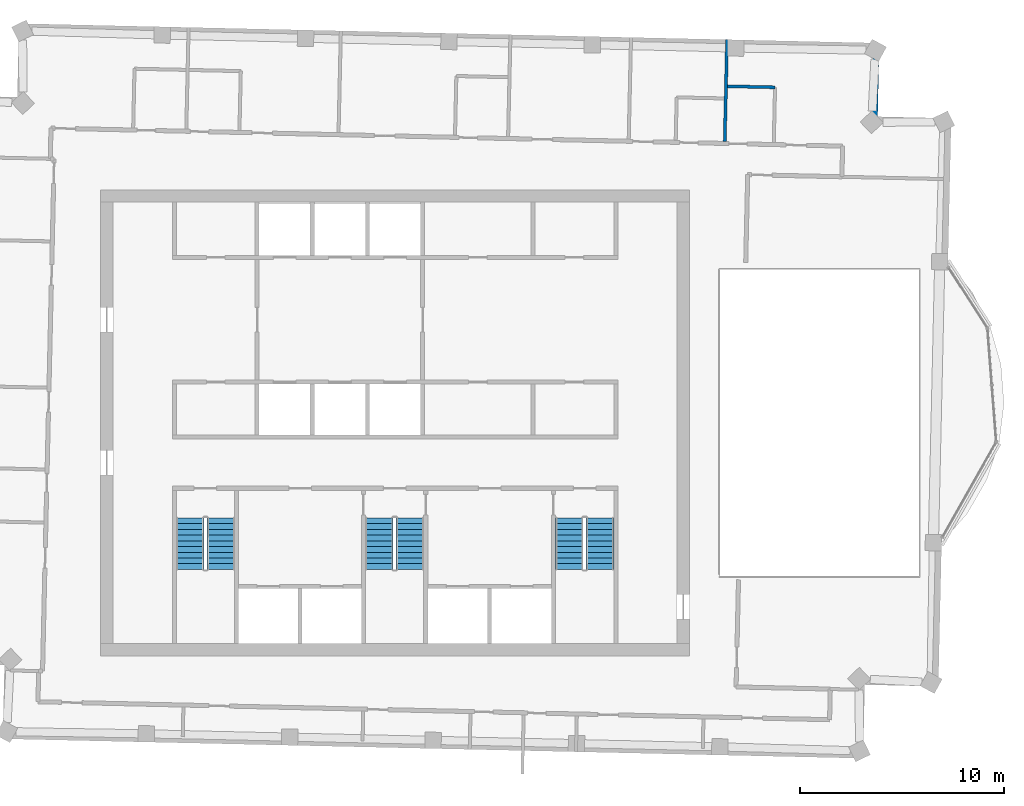
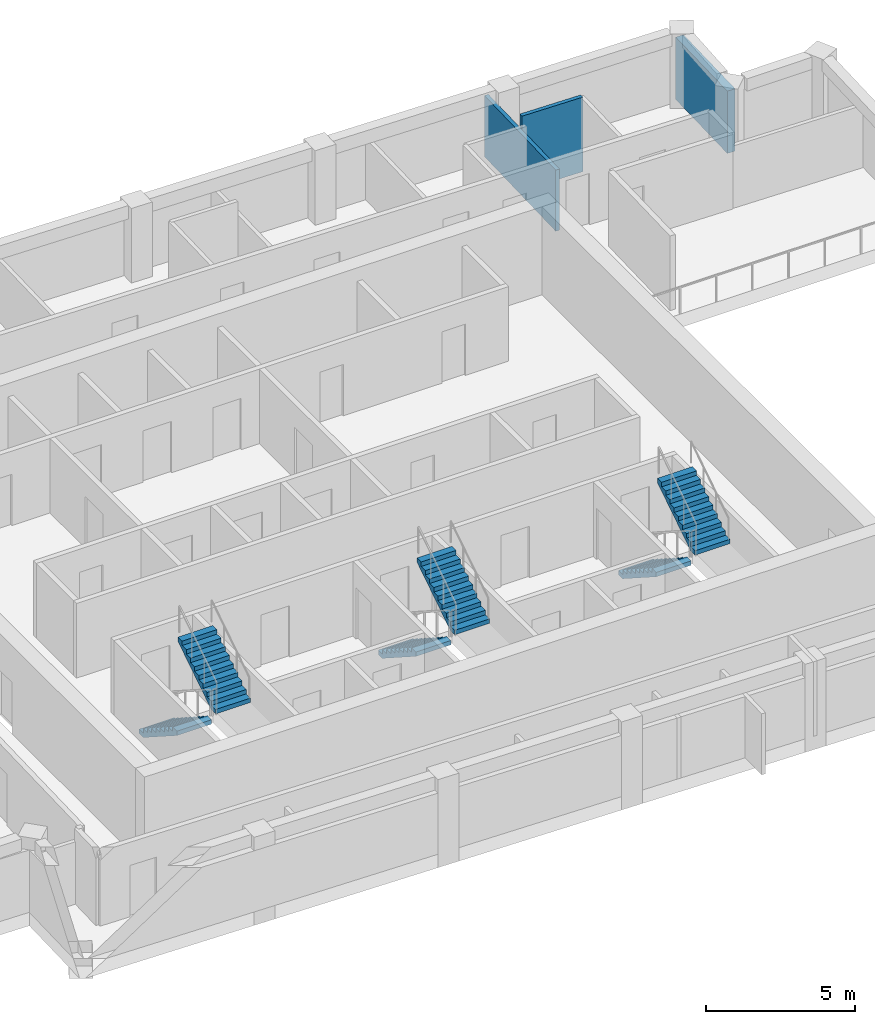
# One storey, part 10 of 12: 6 stair flights, 3 walls, 3 elements without a shape of their own.
"""IFC4 building model written with IfcOpenShell, lengths in metres."""

from ifc_helpers import new_model, si_unit, direction, frame, frame_2d, origin, place, context, subcontext, project, spatial, polyline, rectangle, outline, extrude, material, layer, layer_set, type_object, element, aggregate, save


model = new_model("IFC4")

# Units and contexts
model_context = context("Model", 3, precision=1e-05, world=origin(), true_north=direction((0.0, 1.0)))
body_context = subcontext(model_context, "Body", "Model", "MODEL_VIEW")
ifc_project = project(units=[si_unit("LENGTHUNIT", "METRE"), si_unit("AREAUNIT", "SQUARE_METRE"), si_unit("VOLUMEUNIT", "CUBIC_METRE"), si_unit("PLANEANGLEUNIT", "RADIAN"), si_unit("MASSUNIT", "GRAM", prefix="KILO")], contexts=[model_context])

# Site, building, storey
site_placement = place(None, origin())
site = spatial("IfcSite", under=ifc_project, at=site_placement, CompositionType="ELEMENT")
building_placement = place(site_placement, origin())
building = spatial("IfcBuilding", under=site, at=building_placement, Name="Mangrove Gate Tower", CompositionType="ELEMENT")
storey_placement = place(building_placement, frame((0.0, 0.0, 350.699951171875)))
storey = spatial("IfcBuildingStorey", under=building, at=storey_placement, Name="L89", CompositionType="ELEMENT", Elevation=350.699951171875)

# Walls
ifc_material_1 = material(Name="Limestone", Category="masonry")
ifc_layer_1 = layer(ifc_material_1, 0.0400390625, Name="Limestone cladding")
ifc_material_2 = material(Name="Ventilated air gap")
ifc_layer_2 = layer(ifc_material_2, 0.0400390625, Name="Ventilated cavity")
ifc_material_3 = material(Name="Mineral wool insulation")
ifc_layer_3 = layer(ifc_material_3, 0.06005859375, Name="Insulation")
ifc_material_4 = material(Name="Breather membrane")
ifc_layer_4 = layer(ifc_material_4, 0.001953125, Name="Breather membrane")
ifc_material_5 = material(Name="Concrete C20/25 blockwork", Category="masonry")
ifc_layer_5 = layer(ifc_material_5, 0.14990234375, Name="Blockwork backing wall")
ifc_material_6 = material(Name="Gypsum plaster")
ifc_layer_6 = layer(ifc_material_6, 0.008056640625, Name="Internal plaster")
ifc_layer_set_1 = layer_set([ifc_layer_1, ifc_layer_2, ifc_layer_3, ifc_layer_4, ifc_layer_5, ifc_layer_6], Name="External wall 300 limestone cladding")
wall_type_1 = type_object("IfcWallType", Name="External wall 300 limestone cladding", PredefinedType="SOLIDWALL", material=ifc_layer_set_1)
wall_1_placement = place(storey_placement, frame((23.4560546875, 14.8349609375, 0.0), z_axis=(0.0, 0.0, 1.0), x_axis=(0.022514980321, 0.999746505701, 0.0)))
element("IfcWall", 1, at=wall_1_placement, inside=storey, type_object=wall_type_1, Name="WALL-L89-E4", PredefinedType="SOLIDWALL", context=body_context, shape_type="SweptSolid", body=[
    extrude(rectangle(XDim=3.60009765625, YDim=0.300048828125, at=frame_2d((1.800048828125, 0.0))), origin(), (0.0, 0.0, 1.0), 2.550048828125),
])
ifc_material_7 = material(Name="Gypsum board on steel stud, EI 60", Category="steel")
ifc_layer_7 = layer(ifc_material_7, 0.14990234375)
ifc_layer_set_2 = layer_set([ifc_layer_7], Name="Party wall 150 EI 60")
wall_type_2 = type_object("IfcWallType", Name="Party wall 150 EI 60", PredefinedType="PARTITIONING", material=ifc_layer_set_2)
wall_2_placement = place(storey_placement, frame((16.1298828125, 13.77490234375, 0.0), z_axis=(0.0, 0.0, 1.0), x_axis=(0.022714718825, 0.999741987489, 0.0)))
element("IfcWall", 2, at=wall_2_placement, inside=storey, type_object=wall_type_2, Name="WALL-L89-037", PredefinedType="PARTITIONING", context=body_context, shape_type="SweptSolid", body=[
    extrude(rectangle(XDim=4.976318359375, YDim=0.14990234375, at=frame_2d((2.48828125, 0.0))), origin(), (0.0, 0.0, 1.0), 2.5),
])
wall_3_placement = place(storey_placement, frame((16.26611328125, 16.468017578125, 0.0), z_axis=(0.0, 0.0, 1.0), x_axis=(0.999749744571, -0.022370700241, 0.0)))
element("IfcWall", 3, at=wall_3_placement, inside=storey, type_object=wall_type_2, Name="WALL-L89-040", PredefinedType="PARTITIONING", context=body_context, shape_type="SweptSolid", body=[
    extrude(rectangle(XDim=2.324462890625, YDim=0.14990234375, at=frame_2d((1.162109375, 0.0))), origin(), (0.0, 0.0, 1.0), 3.050048828125),
])

# Stair, stair flights
ifc_material_8 = material(Name="Concrete C40/50", Category="concrete")
stair_type = type_object("IfcStairType", Name="Core stair 1350", PredefinedType="HALF_TURN_STAIR", material=ifc_material_8)
stair_1_placement = place(storey_placement, origin())
stair_1 = element("IfcStair", 4, at=stair_1_placement, inside=storey, type_object=stair_type, Name="L89 Stair 1", PredefinedType="HALF_TURN_STAIR")
ifc_material_9 = material(Name="Concrete C40/50", Category="concrete")
stair_flight_type = type_object("IfcStairFlightType", Name="Core stair flight 1350", PredefinedType="STRAIGHT", material=ifc_material_9)
stair_flight_1_placement = place(storey_placement, frame((-10.02490234375, -4.64990234375, 0.0), z_axis=(0.0, 0.0, 1.0), x_axis=(0.0, -1.0, 0.0)))
stair_flight_1 = element("IfcStairFlight", 5, at=stair_flight_1_placement, type_object=stair_flight_type, Name="ST1 flight 1", NumberOfRisers=10, NumberOfTreads=9, PredefinedType="STRAIGHT", RiserHeight=0.18, TreadLength=0.28, context=body_context, shape_type="SweptSolid", body=[
    extrude(outline(polyline([(0.0, 0.0), (0.0, 0.179931640625), (0.280029296875, 0.179931640625), (0.280029296875, 0.360107421875), (0.56005859375, 0.360107421875), (0.56005859375, 0.5400390625), (0.840087890625, 0.5400390625), (0.840087890625, 0.719970703125), (1.1201171875, 0.719970703125), (1.1201171875, 0.89990234375), (1.39990234375, 0.89990234375), (1.39990234375, 1.080078125), (1.679931640625, 1.080078125), (1.679931640625, 1.260009765625), (1.9599609375, 1.260009765625), (1.9599609375, 1.43994140625), (2.239990234375, 1.43994140625), (2.239990234375, 1.6201171875), (2.52001953125, 1.6201171875), (2.52001953125, 1.800048828125), (2.52001953125, 1.44189453125), (0.277099609375, 0.0), (0.0, 0.0)])), frame((0.0, 0.675048828125, 0.0), z_axis=(0.0, -1.0, 0.0), x_axis=(1.0, 0.0, 0.0)), (0.0, 0.0, 1.0), 1.35009765625),
])
stair_flight_2_placement = place(storey_placement, frame((-8.52490234375, -7.169921875, 1.800048828125), z_axis=(0.0, 0.0, 1.0), x_axis=(0.0, 1.0, 0.0)))
stair_flight_2 = element("IfcStairFlight", 6, at=stair_flight_2_placement, type_object=stair_flight_type, Name="ST1 flight 2", NumberOfRisers=10, NumberOfTreads=9, PredefinedType="STRAIGHT", RiserHeight=0.18, TreadLength=0.28, context=body_context, shape_type="SweptSolid", body=[
    extrude(outline(polyline([(0.0, 0.0), (0.0, 0.179931640625), (0.280029296875, 0.179931640625), (0.280029296875, 0.360107421875), (0.56005859375, 0.360107421875), (0.56005859375, 0.5400390625), (0.840087890625, 0.5400390625), (0.840087890625, 0.719970703125), (1.1201171875, 0.719970703125), (1.1201171875, 0.89990234375), (1.39990234375, 0.89990234375), (1.39990234375, 1.080078125), (1.679931640625, 1.080078125), (1.679931640625, 1.260009765625), (1.9599609375, 1.260009765625), (1.9599609375, 1.43994140625), (2.239990234375, 1.43994140625), (2.239990234375, 1.6201171875), (2.52001953125, 1.6201171875), (2.52001953125, 1.800048828125), (2.52001953125, 1.44189453125), (0.277099609375, 0.0), (0.0, 0.0)])), frame((0.0, 0.675048828125, 0.0), z_axis=(0.0, -1.0, 0.0), x_axis=(1.0, 0.0, 0.0)), (0.0, 0.0, 1.0), 1.35009765625),
])
aggregate(stair_1, [stair_flight_1, stair_flight_2])

stair_2_placement = place(storey_placement, origin())
stair_2 = element("IfcStair", 7, at=stair_2_placement, inside=storey, type_object=stair_type, Name="L89 Stair 2", PredefinedType="HALF_TURN_STAIR")
stair_flight_3_placement = place(storey_placement, frame((-0.77490234375, -4.64990234375, 0.0), z_axis=(0.0, 0.0, 1.0), x_axis=(0.0, -1.0, 0.0)))
stair_flight_3 = element("IfcStairFlight", 8, at=stair_flight_3_placement, type_object=stair_flight_type, Name="ST2 flight 1", NumberOfRisers=10, NumberOfTreads=9, PredefinedType="STRAIGHT", RiserHeight=0.18, TreadLength=0.28, context=body_context, shape_type="SweptSolid", body=[
    extrude(outline(polyline([(0.0, 0.0), (0.0, 0.179931640625), (0.280029296875, 0.179931640625), (0.280029296875, 0.360107421875), (0.56005859375, 0.360107421875), (0.56005859375, 0.5400390625), (0.840087890625, 0.5400390625), (0.840087890625, 0.719970703125), (1.1201171875, 0.719970703125), (1.1201171875, 0.89990234375), (1.39990234375, 0.89990234375), (1.39990234375, 1.080078125), (1.679931640625, 1.080078125), (1.679931640625, 1.260009765625), (1.9599609375, 1.260009765625), (1.9599609375, 1.43994140625), (2.239990234375, 1.43994140625), (2.239990234375, 1.6201171875), (2.52001953125, 1.6201171875), (2.52001953125, 1.800048828125), (2.52001953125, 1.44189453125), (0.277099609375, 0.0), (0.0, 0.0)])), frame((0.0, 0.675048828125, 0.0), z_axis=(0.0, -1.0, 0.0), x_axis=(1.0, 0.0, 0.0)), (0.0, 0.0, 1.0), 1.35009765625),
])
stair_flight_4_placement = place(storey_placement, frame((0.72509765625, -7.169921875, 1.800048828125), z_axis=(0.0, 0.0, 1.0), x_axis=(0.0, 1.0, 0.0)))
stair_flight_4 = element("IfcStairFlight", 9, at=stair_flight_4_placement, type_object=stair_flight_type, Name="ST2 flight 2", NumberOfRisers=10, NumberOfTreads=9, PredefinedType="STRAIGHT", RiserHeight=0.18, TreadLength=0.28, context=body_context, shape_type="SweptSolid", body=[
    extrude(outline(polyline([(0.0, 0.0), (0.0, 0.179931640625), (0.280029296875, 0.179931640625), (0.280029296875, 0.360107421875), (0.56005859375, 0.360107421875), (0.56005859375, 0.5400390625), (0.840087890625, 0.5400390625), (0.840087890625, 0.719970703125), (1.1201171875, 0.719970703125), (1.1201171875, 0.89990234375), (1.39990234375, 0.89990234375), (1.39990234375, 1.080078125), (1.679931640625, 1.080078125), (1.679931640625, 1.260009765625), (1.9599609375, 1.260009765625), (1.9599609375, 1.43994140625), (2.239990234375, 1.43994140625), (2.239990234375, 1.6201171875), (2.52001953125, 1.6201171875), (2.52001953125, 1.800048828125), (2.52001953125, 1.44189453125), (0.277099609375, 0.0), (0.0, 0.0)])), frame((0.0, 0.675048828125, 0.0), z_axis=(0.0, -1.0, 0.0), x_axis=(1.0, 0.0, 0.0)), (0.0, 0.0, 1.0), 1.35009765625),
])
aggregate(stair_2, [stair_flight_3, stair_flight_4])

stair_3_placement = place(storey_placement, origin())
stair_3 = element("IfcStair", 10, at=stair_3_placement, inside=storey, type_object=stair_type, Name="L89 Stair 3", PredefinedType="HALF_TURN_STAIR")
stair_flight_5_placement = place(storey_placement, frame((8.52490234375, -4.64990234375, 0.0), z_axis=(0.0, 0.0, 1.0), x_axis=(0.0, -1.0, 0.0)))
stair_flight_5 = element("IfcStairFlight", 11, at=stair_flight_5_placement, type_object=stair_flight_type, Name="ST3 flight 1", NumberOfRisers=10, NumberOfTreads=9, PredefinedType="STRAIGHT", RiserHeight=0.18, TreadLength=0.28, context=body_context, shape_type="SweptSolid", body=[
    extrude(outline(polyline([(0.0, 0.0), (0.0, 0.179931640625), (0.280029296875, 0.179931640625), (0.280029296875, 0.360107421875), (0.56005859375, 0.360107421875), (0.56005859375, 0.5400390625), (0.840087890625, 0.5400390625), (0.840087890625, 0.719970703125), (1.1201171875, 0.719970703125), (1.1201171875, 0.89990234375), (1.39990234375, 0.89990234375), (1.39990234375, 1.080078125), (1.679931640625, 1.080078125), (1.679931640625, 1.260009765625), (1.9599609375, 1.260009765625), (1.9599609375, 1.43994140625), (2.239990234375, 1.43994140625), (2.239990234375, 1.6201171875), (2.52001953125, 1.6201171875), (2.52001953125, 1.800048828125), (2.52001953125, 1.44189453125), (0.277099609375, 0.0), (0.0, 0.0)])), frame((0.0, 0.675048828125, 0.0), z_axis=(0.0, -1.0, 0.0), x_axis=(1.0, 0.0, 0.0)), (0.0, 0.0, 1.0), 1.35009765625),
])
stair_flight_6_placement = place(storey_placement, frame((10.02490234375, -7.169921875, 1.800048828125), z_axis=(0.0, 0.0, 1.0), x_axis=(0.0, 1.0, 0.0)))
stair_flight_6 = element("IfcStairFlight", 12, at=stair_flight_6_placement, type_object=stair_flight_type, Name="ST3 flight 2", NumberOfRisers=10, NumberOfTreads=9, PredefinedType="STRAIGHT", RiserHeight=0.18, TreadLength=0.28, context=body_context, shape_type="SweptSolid", body=[
    extrude(outline(polyline([(0.0, 0.0), (0.0, 0.179931640625), (0.280029296875, 0.179931640625), (0.280029296875, 0.360107421875), (0.56005859375, 0.360107421875), (0.56005859375, 0.5400390625), (0.840087890625, 0.5400390625), (0.840087890625, 0.719970703125), (1.1201171875, 0.719970703125), (1.1201171875, 0.89990234375), (1.39990234375, 0.89990234375), (1.39990234375, 1.080078125), (1.679931640625, 1.080078125), (1.679931640625, 1.260009765625), (1.9599609375, 1.260009765625), (1.9599609375, 1.43994140625), (2.239990234375, 1.43994140625), (2.239990234375, 1.6201171875), (2.52001953125, 1.6201171875), (2.52001953125, 1.800048828125), (2.52001953125, 1.44189453125), (0.277099609375, 0.0), (0.0, 0.0)])), frame((0.0, 0.675048828125, 0.0), z_axis=(0.0, -1.0, 0.0), x_axis=(1.0, 0.0, 0.0)), (0.0, 0.0, 1.0), 1.35009765625),
])
aggregate(stair_3, [stair_flight_5, stair_flight_6])

save(model, "model.ifc")
